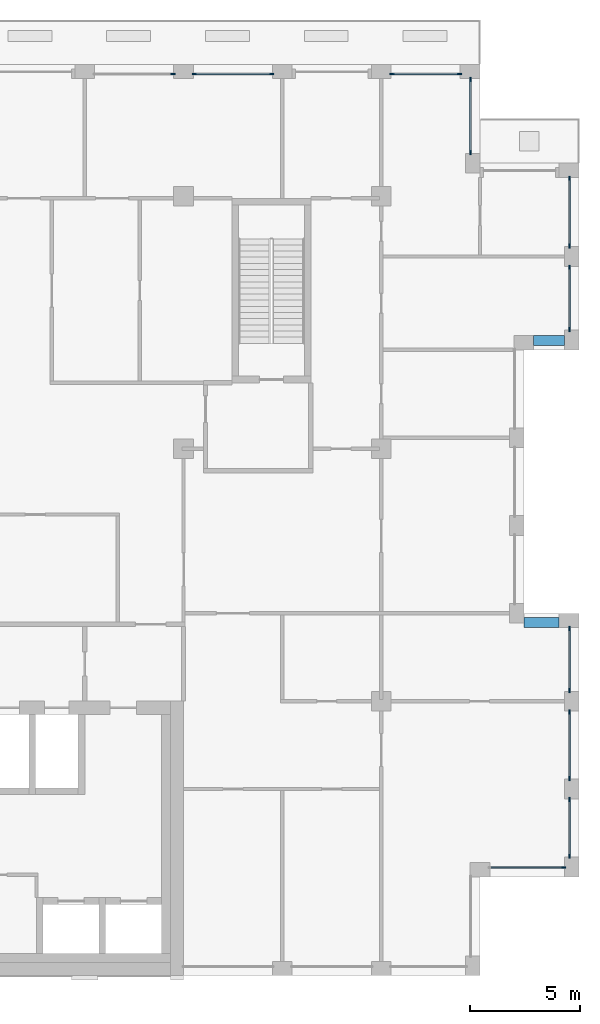
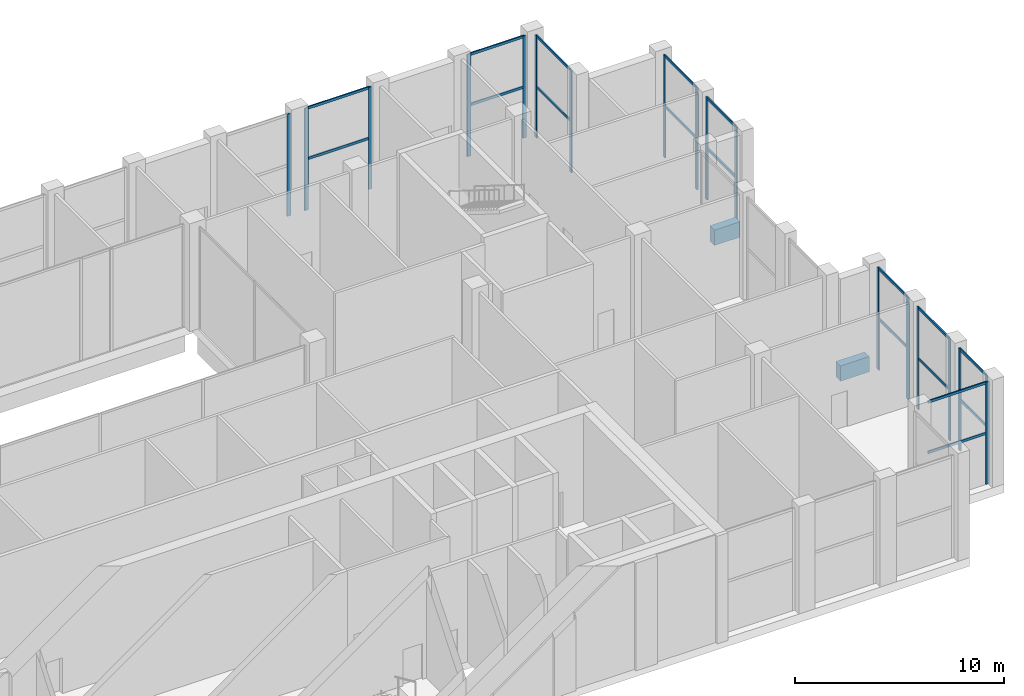
# One storey, part 9 of 18: 36 members, 2 beams, 10 elements without a shape of their own.
"""IFC4 building model written with IfcOpenShell, lengths in metres."""

import ifcopenshell
import ifcopenshell.guid

model = None  # the IFC model being written
_history = None  # IfcOwnerHistory: only IFC2X3 demands one
_inside = {}  # id of a spatial element -> (the spatial element, [elements in it])
_under = {}  # id of a project, library or spatial element -> (it, [spatial elements below it])
_declared = {}  # id of a project -> (the project, [libraries it declares])
_typed = {}  # id of a type object -> (the type object, [elements of that type])
_made_of = {}  # id of a material, layer set ... -> (it, [elements and type objects made of it])


def new_model(schema):
    """Start an empty IFC model of exactly this schema.

    Asked for "IFC4X3", IfcOpenShell would pick the latest addendum, in which some entities
    have other attributes; the version numbers below select the first issue.
    IFC2X3 requires an IfcOwnerHistory on every rooted entity: one is made here for all.
    """
    global model, _history
    if schema == "IFC4X3":
        model = ifcopenshell.file(schema_version=(4, 3, 0, 0))
    else:
        model = ifcopenshell.file(schema=schema)
    _inside.clear()
    _under.clear()
    _declared.clear()
    _typed.clear()
    _made_of.clear()
    _history = None
    if model.schema == "IFC2X3":
        org = make("IfcOrganization", Name="unknown")
        user = make(
            "IfcPersonAndOrganization",
            ThePerson=make("IfcPerson", FamilyName="unknown"),
            TheOrganization=org,
        )
        app = make(
            "IfcApplication",
            ApplicationDeveloper=org,
            Version="unknown",
            ApplicationFullName="unknown",
            ApplicationIdentifier="unknown",
        )
        _history = make(
            "IfcOwnerHistory",
            OwningUser=user,
            OwningApplication=app,
            ChangeAction="ADDED",
            CreationDate=0,
        )
    return model


def make(cls, **values):
    """One entity of the class cls with the attributes given. An attribute that is None is left unset."""
    return model.create_entity(
        cls, **{name: value for name, value in values.items() if value is not None}
    )


def rooted(cls, **values):
    """An entity with a GlobalId (a new one), such as an element, a storey or a relation."""
    return make(cls, GlobalId=ifcopenshell.guid.new(), OwnerHistory=_history, **values)


def si_unit(unit_type, name, prefix=None):
    """IfcSIUnit, for example si_unit("LENGTHUNIT", "METRE", prefix="MILLI")."""
    return make("IfcSIUnit", UnitType=unit_type, Prefix=prefix, Name=name)


def assignment(units):
    """IfcUnitAssignment: the units of a project."""
    return None if units is None else make("IfcUnitAssignment", Units=units)


def point(xyz):
    """IfcCartesianPoint."""
    return None if xyz is None else make("IfcCartesianPoint", Coordinates=xyz)


def direction(xyz):
    """IfcDirection."""
    return None if xyz is None else make("IfcDirection", DirectionRatios=xyz)


def frame(location, z_axis=None, x_axis=None):
    """IfcAxis2Placement3D, a coordinate frame: its origin and axes. An axis left out is left unset."""
    return make(
        "IfcAxis2Placement3D",
        Location=point(location),
        Axis=direction(z_axis),
        RefDirection=direction(x_axis),
    )


def frame_2d(location, x_axis=None):
    """IfcAxis2Placement2D, a coordinate frame in the plane: its origin and x axis."""
    return make(
        "IfcAxis2Placement2D", Location=point(location), RefDirection=direction(x_axis)
    )


def origin():
    """The frame at (0, 0, 0) with its axes left unset."""
    return frame((0.0, 0.0, 0.0))


def origin_2d():
    """The frame at (0, 0) in the plane with its x axis left unset."""
    return frame_2d((0.0, 0.0))


def place(relative_to, where):
    """IfcLocalPlacement: puts the frame where relative to a parent placement (None: the world)."""
    return make(
        "IfcLocalPlacement", PlacementRelTo=relative_to, RelativePlacement=where
    )


def context(
    kind, dimensions, precision=None, world=None, true_north=None, identifier=None
):
    """IfcGeometricRepresentationContext, for example the 3D "Model" context."""
    return make(
        "IfcGeometricRepresentationContext",
        ContextIdentifier=identifier,
        ContextType=kind,
        CoordinateSpaceDimension=dimensions,
        Precision=precision,
        WorldCoordinateSystem=world,
        TrueNorth=true_north,
    )


def subcontext(parent, identifier, kind, view, scale=None):
    """IfcGeometricRepresentationSubContext, for example "Body" below "Model"."""
    return make(
        "IfcGeometricRepresentationSubContext",
        ContextIdentifier=identifier,
        ContextType=kind,
        ParentContext=parent,
        TargetScale=scale,
        TargetView=view,
    )


def project(units=None, contexts=None):
    """IfcProject with its units and contexts."""
    return rooted(
        "IfcProject",
        Name="project",
        RepresentationContexts=contexts,
        UnitsInContext=assignment(units),
    )


def spatial(cls, under=None, at=None, **own):
    """A site, building, storey or space (cls), placed at a placement, below another one or the project."""
    s = rooted(cls, ObjectPlacement=at, **own)
    if under is not None:
        _under.setdefault(under.id(), (under, []))[1].append(s)
    return s


def profile(cls, at=None, kind="AREA", **sizes):
    """A parametric profile (cls). Its sizes go by their IFC names, for example OverallWidth=200.0."""
    return make(cls, ProfileType=kind, Position=at, **sizes)


def rectangle(**sizes):
    """IfcRectangleProfileDef."""
    return profile("IfcRectangleProfileDef", **sizes)


def extrude(swept, where, along, depth):
    """IfcExtrudedAreaSolid: the profile swept, set in the frame where, extruded along a direction by depth."""
    return make(
        "IfcExtrudedAreaSolid",
        SweptArea=swept,
        Position=where,
        ExtrudedDirection=direction(along),
        Depth=depth,
    )


def shape(context_of_items, identifier, shape_type, items):
    """IfcShapeRepresentation: the items that make up one representation, for example the "Body"."""
    return make(
        "IfcShapeRepresentation",
        ContextOfItems=context_of_items,
        RepresentationIdentifier=identifier,
        RepresentationType=shape_type,
        Items=items,
    )


def material(Name=None, Category=None):
    """IfcMaterial."""
    return make("IfcMaterial", Name=Name, Category=Category)


def layer(
    of_material, thickness, ventilated=None, Name=None, Category=None, Priority=None
):
    """IfcMaterialLayer: one layer of a wall or slab, of a material (None: an air gap)."""
    return make(
        "IfcMaterialLayer",
        Material=of_material,
        LayerThickness=thickness,
        IsVentilated=ventilated,
        Name=Name,
        Category=Category,
        Priority=Priority,
    )


def layer_set(layers, Name=None):
    """IfcMaterialLayerSet."""
    return make("IfcMaterialLayerSet", MaterialLayers=layers, LayerSetName=Name)


def material_profile(
    of_material, cross_section, Name=None, Category=None, Priority=None
):
    """IfcMaterialProfile: a cross section and its material."""
    return make(
        "IfcMaterialProfile",
        Name=Name,
        Material=of_material,
        Profile=cross_section,
        Priority=Priority,
        Category=Category,
    )


def profile_set(profiles, Name=None, composite=None):
    """IfcMaterialProfileSet."""
    return make(
        "IfcMaterialProfileSet",
        Name=Name,
        MaterialProfiles=profiles,
        CompositeProfile=composite,
    )


def made_of(thing, what):
    """Note that an element or type object is made of a material, layer set ...; save() writes the relation."""
    if what is not None:
        _made_of.setdefault(what.id(), (what, []))[1].append(thing)
    return thing


def type_object(cls, material=None, **own):
    """A type object (cls), such as IfcWallType, which elements share."""
    return made_of(rooted(cls, **own), material)


def element(
    cls,
    number,
    at=None,
    inside=None,
    cuts=None,
    type_object=None,
    material=None,
    context=None,
    identifier="Body",
    shape_type=None,
    held_by="IfcProductDefinitionShape",
    body=None,
    shapes=None,
    **own,
):
    """One element of the class cls, such as IfcWall. Its Tag is "e" and its number.

    at: its placement. inside: the storey or other place that contains it. cuts: it is an
    opening in that element (IfcRelVoidsElement). A single representation is given by context,
    identifier, shape_type and body (its items); several are given by shapes. held_by: the class
    of the entity that holds the representations. save() writes the other relations.
    """
    e = rooted(cls, Tag="e%d" % number, ObjectPlacement=at, **own)
    if body is not None:
        shapes = [shape(context, identifier, shape_type, body)]
    if shapes is not None:
        e.Representation = make(held_by, Representations=shapes)
    if inside is not None:
        _inside.setdefault(inside.id(), (inside, []))[1].append(e)
    if cuts is not None:
        rooted(
            "IfcRelVoidsElement", RelatingBuildingElement=cuts, RelatedOpeningElement=e
        )
    if type_object is not None:
        _typed.setdefault(type_object.id(), (type_object, []))[1].append(e)
    return made_of(e, material)


def aggregate(whole, parts):
    """IfcRelAggregates: a whole, such as a stair, and the parts it consists of."""
    return rooted("IfcRelAggregates", RelatingObject=whole, RelatedObjects=parts)


def save(model, path):
    """Write the relations noted so far, then the file.

    IfcRelAggregates (storeys below a building ...), IfcRelContainedInSpatialStructure (elements
    in a storey), IfcRelDefinesByType, IfcRelAssociatesMaterial and IfcRelDeclares: one each for
    every whole, place, type object, material and project.
    """
    for whole, parts in _under.values():
        aggregate(whole, parts)
    for where, things in _inside.values():
        rooted(
            "IfcRelContainedInSpatialStructure",
            RelatedElements=things,
            RelatingStructure=where,
        )
    for kind, things in _typed.values():
        rooted("IfcRelDefinesByType", RelatedObjects=things, RelatingType=kind)
    for what, things in _made_of.values():
        rooted("IfcRelAssociatesMaterial", RelatedObjects=things, RelatingMaterial=what)
    for by, libraries in _declared.values():
        rooted("IfcRelDeclares", RelatingContext=by, RelatedDefinitions=libraries)
    model.write(path)


model = new_model("IFC4")

# Units and contexts
model_context = context("Model", 3, precision=1e-05, world=origin(), true_north=direction((0.0, 1.0)))
body_context = subcontext(model_context, "Body", "Model", "MODEL_VIEW")
ifc_project = project(units=[si_unit("LENGTHUNIT", "METRE"), si_unit("AREAUNIT", "SQUARE_METRE"), si_unit("VOLUMEUNIT", "CUBIC_METRE"), si_unit("PLANEANGLEUNIT", "RADIAN"), si_unit("MASSUNIT", "GRAM", prefix="KILO")], contexts=[model_context])

# Site, building, storey
site_placement = place(None, origin())
site = spatial("IfcSite", under=ifc_project, at=site_placement, CompositionType="ELEMENT")
building_placement = place(site_placement, origin())
building = spatial("IfcBuilding", under=site, at=building_placement, Name="Brigalow Station Residences", CompositionType="ELEMENT")
storey_placement = place(building_placement, frame((0.0, 0.0, 191.699951171875)))
storey = spatial("IfcBuildingStorey", under=building, at=storey_placement, Name="L55", CompositionType="ELEMENT", Elevation=191.699951171875)

# Curtain wall, member
ifc_material_1 = material(Name="Aluminium", Category="aluminium")
ifc_layer = layer(ifc_material_1, 0.199951171875)
ifc_layer_set = layer_set([ifc_layer], Name="SKY FLOOR GLAZING CURTAIN WALL")
curtain_wall_type = type_object("IfcCurtainWallType", Name="SKY FLOOR GLAZING CURTAIN WALL", PredefinedType="NOTDEFINED", material=ifc_layer_set)
curtain_wall_1_placement = place(storey_placement, origin())
curtain_wall_1 = element("IfcCurtainWall", 1, at=curtain_wall_1_placement, inside=storey, type_object=curtain_wall_type, Name="L55/cw/W-L55-7", PredefinedType="NOTDEFINED")
ifc_material_2 = material(Name="Aluminium", Category="aluminium")
ifc_material_profile_1 = material_profile(ifc_material_2, rectangle(XDim=0.070068359375, YDim=0.199951171875, at=origin_2d()), Name="SKY FLOOR GLAZING MULLION 70x200")
ifc_profile_set_1 = profile_set([ifc_material_profile_1], Name="Aluminium")
member_type_1 = type_object("IfcMemberType", Name="SKY FLOOR GLAZING MULLION 70x200", PredefinedType="MULLION", material=ifc_profile_set_1)
member_1_placement = place(storey_placement, frame((71.31494140625, 4.925048828125, 0.0), z_axis=(0.0, 0.0, 1.0), x_axis=(0.0, 1.0, 0.0)))
member_1 = element("IfcMember", 2, at=member_1_placement, type_object=member_type_1, Name="L55/cw/W-L55-7/M01", PredefinedType="MULLION", context=body_context, shape_type="SweptSolid", body=[
    extrude(rectangle(XDim=0.070068359375, YDim=0.199951171875, at=origin_2d()), origin(), (0.0, 0.0, 1.0), 5.97998046875),
])

# Curtain wall, members
curtain_wall_2_placement = place(storey_placement, origin())
curtain_wall_2 = element("IfcCurtainWall", 3, at=curtain_wall_2_placement, inside=storey, type_object=curtain_wall_type, Name="L55/cw/W-L55-8", PredefinedType="NOTDEFINED")
member_2_placement = place(storey_placement, frame((71.574951171875, 5.43505859375, 0.0), z_axis=(0.0, 0.0, 1.0), x_axis=(-1.0, 0.0, 0.0)))
member_2 = element("IfcMember", 4, at=member_2_placement, type_object=member_type_1, Name="L55/cw/W-L55-8/M00", PredefinedType="MULLION", context=body_context, shape_type="SweptSolid", body=[
    extrude(rectangle(XDim=0.070068359375, YDim=0.199951171875, at=origin_2d()), origin(), (0.0, 0.0, 1.0), 5.97998046875),
])
member_3_placement = place(storey_placement, frame((71.574951171875, 8.014892578125, 0.0), z_axis=(0.0, 0.0, 1.0), x_axis=(-1.0, 0.0, 0.0)))
member_3 = element("IfcMember", 5, at=member_3_placement, type_object=member_type_1, Name="L55/cw/W-L55-8/M01", PredefinedType="MULLION", context=body_context, shape_type="SweptSolid", body=[
    extrude(rectangle(XDim=0.070068359375, YDim=0.199951171875, at=origin_2d()), origin(), (0.0, 0.0, 1.0), 5.97998046875),
])

curtain_wall_3_placement = place(storey_placement, origin())
curtain_wall_3 = element("IfcCurtainWall", 6, at=curtain_wall_3_placement, inside=storey, type_object=curtain_wall_type, Name="L55/cw/W-L55-9", PredefinedType="NOTDEFINED")
member_4_placement = place(storey_placement, frame((71.574951171875, 8.985107421875, 0.0), z_axis=(0.0, 0.0, 1.0), x_axis=(-1.0, 0.0, 0.0)))
member_4 = element("IfcMember", 7, at=member_4_placement, type_object=member_type_1, Name="L55/cw/W-L55-9/M00", PredefinedType="MULLION", context=body_context, shape_type="SweptSolid", body=[
    extrude(rectangle(XDim=0.070068359375, YDim=0.199951171875, at=origin_2d()), origin(), (0.0, 0.0, 1.0), 5.97998046875),
])
member_5_placement = place(storey_placement, frame((71.574951171875, 12.014892578125, 0.0), z_axis=(0.0, 0.0, 1.0), x_axis=(-1.0, 0.0, 0.0)))
member_5 = element("IfcMember", 8, at=member_5_placement, type_object=member_type_1, Name="L55/cw/W-L55-9/M01", PredefinedType="MULLION", context=body_context, shape_type="SweptSolid", body=[
    extrude(rectangle(XDim=0.070068359375, YDim=0.199951171875, at=origin_2d()), origin(), (0.0, 0.0, 1.0), 5.97998046875),
])

curtain_wall_4_placement = place(storey_placement, origin())
curtain_wall_4 = element("IfcCurtainWall", 9, at=curtain_wall_4_placement, inside=storey, type_object=curtain_wall_type, Name="L55/cw/W-L55-10", PredefinedType="NOTDEFINED")
member_6_placement = place(storey_placement, frame((71.574951171875, 12.985107421875, 0.0), z_axis=(0.0, 0.0, 1.0), x_axis=(-1.0, 0.0, 0.0)))
member_6 = element("IfcMember", 10, at=member_6_placement, type_object=member_type_1, Name="L55/cw/W-L55-10/M00", PredefinedType="MULLION", context=body_context, shape_type="SweptSolid", body=[
    extrude(rectangle(XDim=0.070068359375, YDim=0.199951171875, at=origin_2d()), origin(), (0.0, 0.0, 1.0), 5.97998046875),
])
member_7_placement = place(storey_placement, frame((71.574951171875, 15.81494140625, 0.0), z_axis=(0.0, 0.0, 1.0), x_axis=(-1.0, 0.0, 0.0)))
member_7 = element("IfcMember", 11, at=member_7_placement, type_object=member_type_1, Name="L55/cw/W-L55-10/M01", PredefinedType="MULLION", context=body_context, shape_type="SweptSolid", body=[
    extrude(rectangle(XDim=0.070068359375, YDim=0.199951171875, at=origin_2d()), origin(), (0.0, 0.0, 1.0), 5.97998046875),
])

curtain_wall_5_placement = place(storey_placement, origin())
curtain_wall_5 = element("IfcCurtainWall", 12, at=curtain_wall_5_placement, inside=storey, type_object=curtain_wall_type, Name="L55/cw/W-L55-16", PredefinedType="NOTDEFINED")
member_8_placement = place(storey_placement, frame((71.574951171875, 29.43505859375, 0.0), z_axis=(0.0, 0.0, 1.0), x_axis=(-1.0, 0.0, 0.0)))
member_8 = element("IfcMember", 13, at=member_8_placement, type_object=member_type_1, Name="L55/cw/W-L55-16/M00", PredefinedType="MULLION", context=body_context, shape_type="SweptSolid", body=[
    extrude(rectangle(XDim=0.070068359375, YDim=0.199951171875, at=origin_2d()), origin(), (0.0, 0.0, 1.0), 5.97998046875),
])
member_9_placement = place(storey_placement, frame((71.574951171875, 32.264892578125, 0.0), z_axis=(0.0, 0.0, 1.0), x_axis=(-1.0, 0.0, 0.0)))
member_9 = element("IfcMember", 14, at=member_9_placement, type_object=member_type_1, Name="L55/cw/W-L55-16/M01", PredefinedType="MULLION", context=body_context, shape_type="SweptSolid", body=[
    extrude(rectangle(XDim=0.070068359375, YDim=0.199951171875, at=origin_2d()), origin(), (0.0, 0.0, 1.0), 5.97998046875),
])

curtain_wall_6_placement = place(storey_placement, origin())
curtain_wall_6 = element("IfcCurtainWall", 15, at=curtain_wall_6_placement, inside=storey, type_object=curtain_wall_type, Name="L55/cw/W-L55-17", PredefinedType="NOTDEFINED")
member_10_placement = place(storey_placement, frame((71.574951171875, 33.235107421875, 0.0), z_axis=(0.0, 0.0, 1.0), x_axis=(-1.0, 0.0, 0.0)))
member_10 = element("IfcMember", 16, at=member_10_placement, type_object=member_type_1, Name="L55/cw/W-L55-17/M00", PredefinedType="MULLION", context=body_context, shape_type="SweptSolid", body=[
    extrude(rectangle(XDim=0.070068359375, YDim=0.199951171875, at=origin_2d()), origin(), (0.0, 0.0, 1.0), 5.97998046875),
])
member_11_placement = place(storey_placement, frame((71.574951171875, 36.31494140625, 0.0), z_axis=(0.0, 0.0, 1.0), x_axis=(-1.0, 0.0, 0.0)))
member_11 = element("IfcMember", 17, at=member_11_placement, type_object=member_type_1, Name="L55/cw/W-L55-17/M01", PredefinedType="MULLION", context=body_context, shape_type="SweptSolid", body=[
    extrude(rectangle(XDim=0.070068359375, YDim=0.199951171875, at=origin_2d()), origin(), (0.0, 0.0, 1.0), 5.97998046875),
])

curtain_wall_7_placement = place(storey_placement, origin())
curtain_wall_7 = element("IfcCurtainWall", 18, at=curtain_wall_7_placement, inside=storey, type_object=curtain_wall_type, Name="L55/cw/W-L55-19", PredefinedType="NOTDEFINED")
member_12_placement = place(storey_placement, frame((67.074951171875, 37.485107421875, 0.0), z_axis=(0.0, 0.0, 1.0), x_axis=(-1.0, 0.0, 0.0)))
member_12 = element("IfcMember", 19, at=member_12_placement, type_object=member_type_1, Name="L55/cw/W-L55-19/M00", PredefinedType="MULLION", context=body_context, shape_type="SweptSolid", body=[
    extrude(rectangle(XDim=0.070068359375, YDim=0.199951171875, at=origin_2d()), origin(), (0.0, 0.0, 1.0), 5.97998046875),
])
member_13_placement = place(storey_placement, frame((67.074951171875, 40.81494140625, 0.0), z_axis=(0.0, 0.0, 1.0), x_axis=(-1.0, 0.0, 0.0)))
member_13 = element("IfcMember", 20, at=member_13_placement, type_object=member_type_1, Name="L55/cw/W-L55-19/M01", PredefinedType="MULLION", context=body_context, shape_type="SweptSolid", body=[
    extrude(rectangle(XDim=0.070068359375, YDim=0.199951171875, at=origin_2d()), origin(), (0.0, 0.0, 1.0), 5.97998046875),
])

curtain_wall_8_placement = place(storey_placement, origin())
curtain_wall_8 = element("IfcCurtainWall", 21, at=curtain_wall_8_placement, inside=storey, type_object=curtain_wall_type, Name="L55/cw/W-L55-20", PredefinedType="NOTDEFINED")
member_14_placement = place(storey_placement, frame((66.56494140625, 41.074951171875, 0.0), z_axis=(0.0, 0.0, 1.0), x_axis=(0.0, -1.0, 0.0)))
member_14 = element("IfcMember", 22, at=member_14_placement, type_object=member_type_1, Name="L55/cw/W-L55-20/M00", PredefinedType="MULLION", context=body_context, shape_type="SweptSolid", body=[
    extrude(rectangle(XDim=0.070068359375, YDim=0.199951171875, at=origin_2d()), origin(), (0.0, 0.0, 1.0), 5.97998046875),
])
member_15_placement = place(storey_placement, frame((63.485107421875, 41.074951171875, 0.0), z_axis=(0.0, 0.0, 1.0), x_axis=(0.0, -1.0, 0.0)))
member_15 = element("IfcMember", 23, at=member_15_placement, type_object=member_type_1, Name="L55/cw/W-L55-20/M01", PredefinedType="MULLION", context=body_context, shape_type="SweptSolid", body=[
    extrude(rectangle(XDim=0.070068359375, YDim=0.199951171875, at=origin_2d()), origin(), (0.0, 0.0, 1.0), 5.97998046875),
])

curtain_wall_9_placement = place(storey_placement, origin())
curtain_wall_9 = element("IfcCurtainWall", 24, at=curtain_wall_9_placement, inside=storey, type_object=curtain_wall_type, Name="L55/cw/W-L55-22", PredefinedType="NOTDEFINED")
member_16_placement = place(storey_placement, frame((58.014892578125, 41.074951171875, 0.0), z_axis=(0.0, 0.0, 1.0), x_axis=(0.0, -1.0, 0.0)))
member_16 = element("IfcMember", 25, at=member_16_placement, type_object=member_type_1, Name="L55/cw/W-L55-22/M00", PredefinedType="MULLION", context=body_context, shape_type="SweptSolid", body=[
    extrude(rectangle(XDim=0.070068359375, YDim=0.199951171875, at=origin_2d()), origin(), (0.0, 0.0, 1.0), 5.97998046875),
])
member_17_placement = place(storey_placement, frame((54.485107421875, 41.074951171875, 0.0), z_axis=(0.0, 0.0, 1.0), x_axis=(0.0, -1.0, 0.0)))
member_17 = element("IfcMember", 26, at=member_17_placement, type_object=member_type_1, Name="L55/cw/W-L55-22/M01", PredefinedType="MULLION", context=body_context, shape_type="SweptSolid", body=[
    extrude(rectangle(XDim=0.070068359375, YDim=0.199951171875, at=origin_2d()), origin(), (0.0, 0.0, 1.0), 5.97998046875),
])

# Curtain wall, member
curtain_wall_10_placement = place(storey_placement, origin())
curtain_wall_10 = element("IfcCurtainWall", 27, at=curtain_wall_10_placement, inside=storey, type_object=curtain_wall_type, Name="L55/cw/W-L55-23", PredefinedType="NOTDEFINED")
member_18_placement = place(storey_placement, frame((53.514892578125, 41.074951171875, 0.0), z_axis=(0.0, 0.0, 1.0), x_axis=(0.0, -1.0, 0.0)))
member_18 = element("IfcMember", 28, at=member_18_placement, type_object=member_type_1, Name="L55/cw/W-L55-23/M00", PredefinedType="MULLION", context=body_context, shape_type="SweptSolid", body=[
    extrude(rectangle(XDim=0.070068359375, YDim=0.199951171875, at=origin_2d()), origin(), (0.0, 0.0, 1.0), 5.97998046875),
])
aggregate(curtain_wall_10, [member_18])

# Member
ifc_material_3 = material(Name="Aluminium", Category="aluminium")
ifc_material_profile_2 = material_profile(ifc_material_3, rectangle(XDim=0.070068359375, YDim=0.14990234375, at=origin_2d()), Name="SKY FLOOR GLAZING TRANSOM 70x150")
ifc_profile_set_2 = profile_set([ifc_material_profile_2], Name="Aluminium")
member_type_2 = type_object("IfcMemberType", Name="SKY FLOOR GLAZING TRANSOM 70x150", PredefinedType="USERDEFINED", material=ifc_profile_set_2)
member_19_placement = place(storey_placement, frame((68.02001953125, 4.925048828125, 2.989990234375), z_axis=(1.0, 0.0, 0.0), x_axis=(0.0, 1.0, 0.0)))
member_19 = element("IfcMember", 29, at=member_19_placement, type_object=member_type_2, Name="L55/cw/W-L55-7/T00-00", ObjectType="TRANSOM", PredefinedType="USERDEFINED", context=body_context, shape_type="SweptSolid", body=[
    extrude(rectangle(XDim=0.070068359375, YDim=0.14990234375, at=origin_2d()), origin(), (0.0, 0.0, 1.0), 3.260009765625),
])

member_20_placement = place(storey_placement, frame((68.02001953125, 4.925048828125, 5.945068359375), z_axis=(1.0, 0.0, 0.0), x_axis=(0.0, 1.0, 0.0)))
member_20 = element("IfcMember", 30, at=member_20_placement, type_object=member_type_2, Name="L55/cw/W-L55-7/T00-01", ObjectType="TRANSOM", PredefinedType="USERDEFINED", context=body_context, shape_type="SweptSolid", body=[
    extrude(rectangle(XDim=0.070068359375, YDim=0.14990234375, at=origin_2d()), origin(), (0.0, 0.0, 1.0), 3.260009765625),
])

aggregate(curtain_wall_1, [member_1, member_19, member_20])

member_21_placement = place(storey_placement, frame((71.574951171875, 5.469970703125, 2.989990234375), z_axis=(0.0, 1.0, 0.0), x_axis=(-1.0, 0.0, 0.0)))
member_21 = element("IfcMember", 31, at=member_21_placement, type_object=member_type_2, Name="L55/cw/W-L55-8/T00-00", ObjectType="TRANSOM", PredefinedType="USERDEFINED", context=body_context, shape_type="SweptSolid", body=[
    extrude(rectangle(XDim=0.070068359375, YDim=0.14990234375, at=origin_2d()), origin(), (0.0, 0.0, 1.0), 2.510009765625),
])

member_22_placement = place(storey_placement, frame((71.574951171875, 5.469970703125, 5.945068359375), z_axis=(0.0, 1.0, 0.0), x_axis=(-1.0, 0.0, 0.0)))
member_22 = element("IfcMember", 32, at=member_22_placement, type_object=member_type_2, Name="L55/cw/W-L55-8/T00-01", ObjectType="TRANSOM", PredefinedType="USERDEFINED", context=body_context, shape_type="SweptSolid", body=[
    extrude(rectangle(XDim=0.070068359375, YDim=0.14990234375, at=origin_2d()), origin(), (0.0, 0.0, 1.0), 2.510009765625),
])

aggregate(curtain_wall_2, [member_2, member_3, member_21, member_22])

member_23_placement = place(storey_placement, frame((71.574951171875, 9.02001953125, 2.989990234375), z_axis=(0.0, 1.0, 0.0), x_axis=(-1.0, 0.0, 0.0)))
member_23 = element("IfcMember", 33, at=member_23_placement, type_object=member_type_2, Name="L55/cw/W-L55-9/T00-00", ObjectType="TRANSOM", PredefinedType="USERDEFINED", context=body_context, shape_type="SweptSolid", body=[
    extrude(rectangle(XDim=0.070068359375, YDim=0.14990234375, at=origin_2d()), origin(), (0.0, 0.0, 1.0), 2.9599609375),
])

member_24_placement = place(storey_placement, frame((71.574951171875, 9.02001953125, 5.945068359375), z_axis=(0.0, 1.0, 0.0), x_axis=(-1.0, 0.0, 0.0)))
member_24 = element("IfcMember", 34, at=member_24_placement, type_object=member_type_2, Name="L55/cw/W-L55-9/T00-01", ObjectType="TRANSOM", PredefinedType="USERDEFINED", context=body_context, shape_type="SweptSolid", body=[
    extrude(rectangle(XDim=0.070068359375, YDim=0.14990234375, at=origin_2d()), origin(), (0.0, 0.0, 1.0), 2.9599609375),
])

aggregate(curtain_wall_3, [member_4, member_5, member_23, member_24])

member_25_placement = place(storey_placement, frame((71.574951171875, 13.02001953125, 2.989990234375), z_axis=(0.0, 1.0, 0.0), x_axis=(-1.0, 0.0, 0.0)))
member_25 = element("IfcMember", 35, at=member_25_placement, type_object=member_type_2, Name="L55/cw/W-L55-10/T00-00", ObjectType="TRANSOM", PredefinedType="USERDEFINED", context=body_context, shape_type="SweptSolid", body=[
    extrude(rectangle(XDim=0.070068359375, YDim=0.14990234375, at=origin_2d()), origin(), (0.0, 0.0, 1.0), 2.760009765625),
])

member_26_placement = place(storey_placement, frame((71.574951171875, 13.02001953125, 5.945068359375), z_axis=(0.0, 1.0, 0.0), x_axis=(-1.0, 0.0, 0.0)))
member_26 = element("IfcMember", 36, at=member_26_placement, type_object=member_type_2, Name="L55/cw/W-L55-10/T00-01", ObjectType="TRANSOM", PredefinedType="USERDEFINED", context=body_context, shape_type="SweptSolid", body=[
    extrude(rectangle(XDim=0.070068359375, YDim=0.14990234375, at=origin_2d()), origin(), (0.0, 0.0, 1.0), 2.760009765625),
])

aggregate(curtain_wall_4, [member_6, member_7, member_25, member_26])

member_27_placement = place(storey_placement, frame((71.574951171875, 29.469970703125, 2.989990234375), z_axis=(0.0, 1.0, 0.0), x_axis=(-1.0, 0.0, 0.0)))
member_27 = element("IfcMember", 37, at=member_27_placement, type_object=member_type_2, Name="L55/cw/W-L55-16/T00-00", ObjectType="TRANSOM", PredefinedType="USERDEFINED", context=body_context, shape_type="SweptSolid", body=[
    extrude(rectangle(XDim=0.070068359375, YDim=0.14990234375, at=origin_2d()), origin(), (0.0, 0.0, 1.0), 2.760009765625),
])

member_28_placement = place(storey_placement, frame((71.574951171875, 29.469970703125, 5.945068359375), z_axis=(0.0, 1.0, 0.0), x_axis=(-1.0, 0.0, 0.0)))
member_28 = element("IfcMember", 38, at=member_28_placement, type_object=member_type_2, Name="L55/cw/W-L55-16/T00-01", ObjectType="TRANSOM", PredefinedType="USERDEFINED", context=body_context, shape_type="SweptSolid", body=[
    extrude(rectangle(XDim=0.070068359375, YDim=0.14990234375, at=origin_2d()), origin(), (0.0, 0.0, 1.0), 2.760009765625),
])

aggregate(curtain_wall_5, [member_8, member_9, member_27, member_28])

member_29_placement = place(storey_placement, frame((71.574951171875, 33.27001953125, 2.989990234375), z_axis=(0.0, 1.0, 0.0), x_axis=(-1.0, 0.0, 0.0)))
member_29 = element("IfcMember", 39, at=member_29_placement, type_object=member_type_2, Name="L55/cw/W-L55-17/T00-00", ObjectType="TRANSOM", PredefinedType="USERDEFINED", context=body_context, shape_type="SweptSolid", body=[
    extrude(rectangle(XDim=0.070068359375, YDim=0.14990234375, at=origin_2d()), origin(), (0.0, 0.0, 1.0), 3.010009765625),
])

member_30_placement = place(storey_placement, frame((71.574951171875, 33.27001953125, 5.945068359375), z_axis=(0.0, 1.0, 0.0), x_axis=(-1.0, 0.0, 0.0)))
member_30 = element("IfcMember", 40, at=member_30_placement, type_object=member_type_2, Name="L55/cw/W-L55-17/T00-01", ObjectType="TRANSOM", PredefinedType="USERDEFINED", context=body_context, shape_type="SweptSolid", body=[
    extrude(rectangle(XDim=0.070068359375, YDim=0.14990234375, at=origin_2d()), origin(), (0.0, 0.0, 1.0), 3.010009765625),
])

aggregate(curtain_wall_6, [member_10, member_11, member_29, member_30])

member_31_placement = place(storey_placement, frame((67.074951171875, 37.52001953125, 2.989990234375), z_axis=(0.0, 1.0, 0.0), x_axis=(-1.0, 0.0, 0.0)))
member_31 = element("IfcMember", 41, at=member_31_placement, type_object=member_type_2, Name="L55/cw/W-L55-19/T00-00", ObjectType="TRANSOM", PredefinedType="USERDEFINED", context=body_context, shape_type="SweptSolid", body=[
    extrude(rectangle(XDim=0.070068359375, YDim=0.14990234375, at=origin_2d()), origin(), (0.0, 0.0, 1.0), 3.260009765625),
])

member_32_placement = place(storey_placement, frame((67.074951171875, 37.52001953125, 5.945068359375), z_axis=(0.0, 1.0, 0.0), x_axis=(-1.0, 0.0, 0.0)))
member_32 = element("IfcMember", 42, at=member_32_placement, type_object=member_type_2, Name="L55/cw/W-L55-19/T00-01", ObjectType="TRANSOM", PredefinedType="USERDEFINED", context=body_context, shape_type="SweptSolid", body=[
    extrude(rectangle(XDim=0.070068359375, YDim=0.14990234375, at=origin_2d()), origin(), (0.0, 0.0, 1.0), 3.260009765625),
])

aggregate(curtain_wall_7, [member_12, member_13, member_31, member_32])

member_33_placement = place(storey_placement, frame((66.530029296875, 41.074951171875, 2.989990234375), z_axis=(-1.0, 0.0, 0.0), x_axis=(0.0, -1.0, 0.0)))
member_33 = element("IfcMember", 43, at=member_33_placement, type_object=member_type_2, Name="L55/cw/W-L55-20/T00-00", ObjectType="TRANSOM", PredefinedType="USERDEFINED", context=body_context, shape_type="SweptSolid", body=[
    extrude(rectangle(XDim=0.070068359375, YDim=0.14990234375, at=origin_2d()), origin(), (0.0, 0.0, 1.0), 3.010009765625),
])

member_34_placement = place(storey_placement, frame((66.530029296875, 41.074951171875, 5.945068359375), z_axis=(-1.0, 0.0, 0.0), x_axis=(0.0, -1.0, 0.0)))
member_34 = element("IfcMember", 44, at=member_34_placement, type_object=member_type_2, Name="L55/cw/W-L55-20/T00-01", ObjectType="TRANSOM", PredefinedType="USERDEFINED", context=body_context, shape_type="SweptSolid", body=[
    extrude(rectangle(XDim=0.070068359375, YDim=0.14990234375, at=origin_2d()), origin(), (0.0, 0.0, 1.0), 3.010009765625),
])

aggregate(curtain_wall_8, [member_14, member_15, member_33, member_34])

member_35_placement = place(storey_placement, frame((57.97998046875, 41.074951171875, 2.989990234375), z_axis=(-1.0, 0.0, 0.0), x_axis=(0.0, -1.0, 0.0)))
member_35 = element("IfcMember", 45, at=member_35_placement, type_object=member_type_2, Name="L55/cw/W-L55-22/T00-00", ObjectType="TRANSOM", PredefinedType="USERDEFINED", context=body_context, shape_type="SweptSolid", body=[
    extrude(rectangle(XDim=0.070068359375, YDim=0.14990234375, at=origin_2d()), origin(), (0.0, 0.0, 1.0), 3.4599609375),
])

member_36_placement = place(storey_placement, frame((57.97998046875, 41.074951171875, 5.945068359375), z_axis=(-1.0, 0.0, 0.0), x_axis=(0.0, -1.0, 0.0)))
member_36 = element("IfcMember", 46, at=member_36_placement, type_object=member_type_2, Name="L55/cw/W-L55-22/T00-01", ObjectType="TRANSOM", PredefinedType="USERDEFINED", context=body_context, shape_type="SweptSolid", body=[
    extrude(rectangle(XDim=0.070068359375, YDim=0.14990234375, at=origin_2d()), origin(), (0.0, 0.0, 1.0), 3.4599609375),
])

aggregate(curtain_wall_9, [member_16, member_17, member_35, member_36])

# Beams
ifc_material_4 = material(Name="Concrete C50", Category="concrete")
ifc_material_profile_3 = material_profile(ifc_material_4, rectangle(XDim=0.449951171875, YDim=0.89990234375, at=origin_2d()), Name="RC450x900")
ifc_profile_set_3 = profile_set([ifc_material_profile_3], Name="Concrete C50")
beam_type = type_object("IfcBeamType", Name="SPANDREL BEAM 450x900 C50", PredefinedType="SPANDREL", material=ifc_profile_set_3)
beam_1_placement = place(storey_placement, frame((71.10009765625, 16.074951171875, 0.449951171875), z_axis=(-1.0, 0.0, 0.0), x_axis=(0.0, -1.0, 0.0)))
element("IfcBeam", 47, at=beam_1_placement, inside=storey, type_object=beam_type, Name="L55/spandrel/W-L55-11", PredefinedType="SPANDREL", context=body_context, shape_type="SweptSolid", body=[
    extrude(rectangle(XDim=0.449951171875, YDim=0.89990234375, at=origin_2d()), origin(), (0.0, 0.0, 1.0), 1.60009765625),
])
beam_2_placement = place(storey_placement, frame((69.949951171875, 28.925048828125, 0.449951171875), z_axis=(1.0, 0.0, 0.0), x_axis=(0.0, 1.0, 0.0)))
element("IfcBeam", 48, at=beam_2_placement, inside=storey, type_object=beam_type, Name="L55/spandrel/W-L55-15", PredefinedType="SPANDREL", context=body_context, shape_type="SweptSolid", body=[
    extrude(rectangle(XDim=0.449951171875, YDim=0.89990234375, at=origin_2d()), origin(), (0.0, 0.0, 1.0), 1.400146484375),
])

save(model, "model.ifc")
